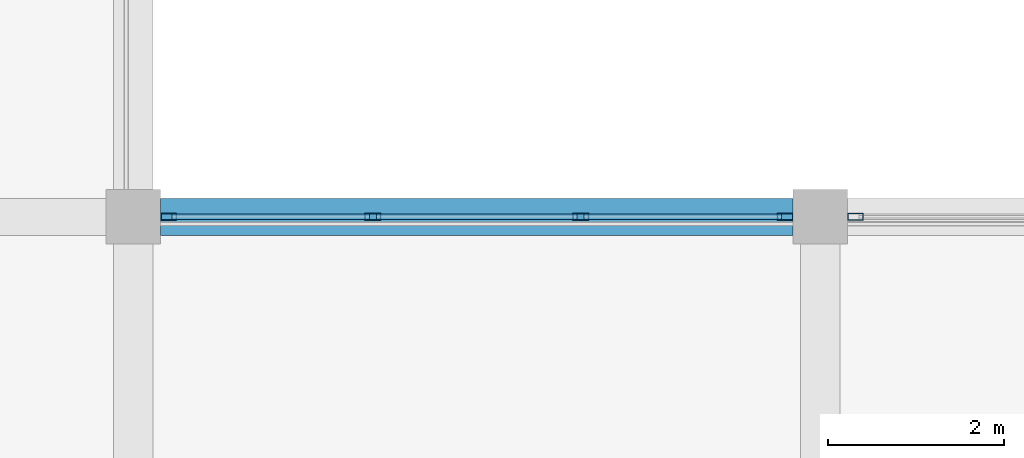
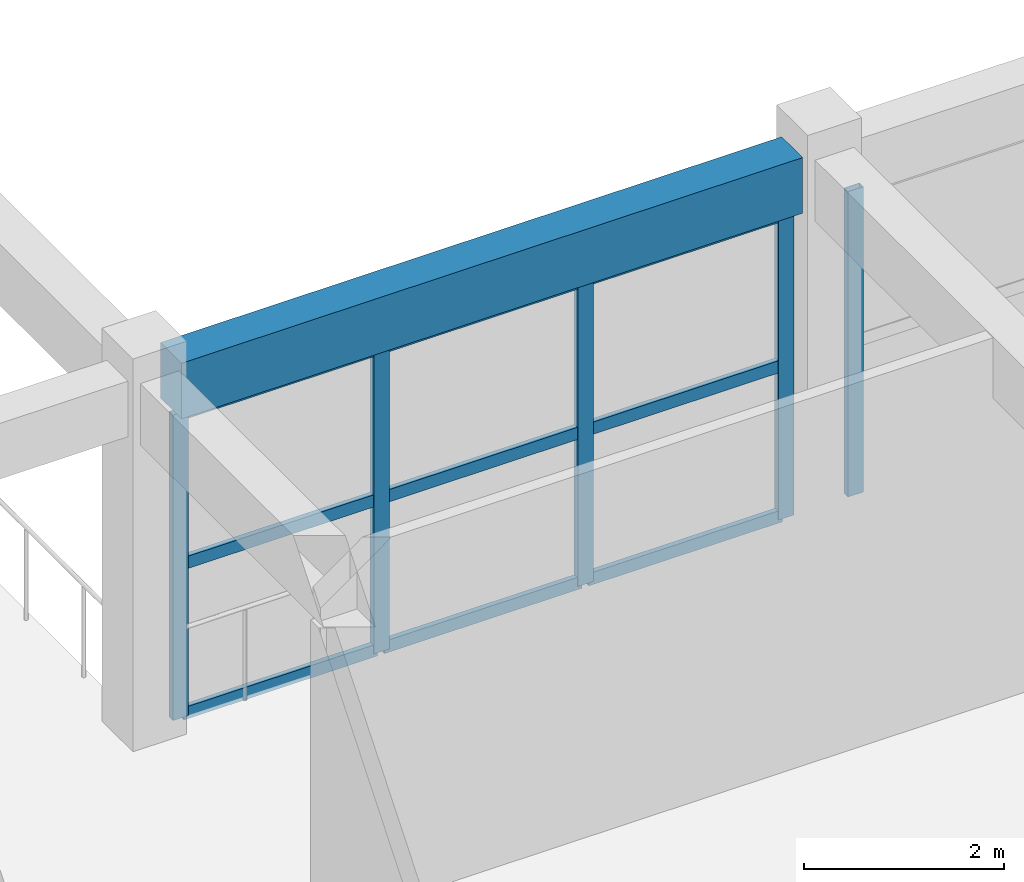
# One storey, part 95 of 167: 14 members, 1 beam, 2 elements without a shape of their own.
"""IFC4 building model written with IfcOpenShell, lengths in metres."""

from ifc_helpers import new_model, si_unit, direction, frame, origin, origin_2d, place, context, subcontext, project, spatial, rectangle, hollow_rectangle, extrude, material, layer, layer_set, material_profile, profile_set, type_object, element, aggregate, save


model = new_model("IFC4")

# Units and contexts
model_context = context("Model", 3, precision=1e-05, world=origin(), true_north=direction((0.0, 1.0)))
body_context = subcontext(model_context, "Body", "Model", "MODEL_VIEW")
ifc_project = project(units=[si_unit("LENGTHUNIT", "METRE"), si_unit("AREAUNIT", "SQUARE_METRE"), si_unit("VOLUMEUNIT", "CUBIC_METRE"), si_unit("PLANEANGLEUNIT", "RADIAN"), si_unit("MASSUNIT", "GRAM", prefix="KILO")], contexts=[model_context])

# Site, building, storey
site_placement = place(None, origin())
site = spatial("IfcSite", under=ifc_project, at=site_placement, CompositionType="ELEMENT")
building_placement = place(site_placement, origin())
building = spatial("IfcBuilding", under=site, at=building_placement, Name="Zizhar Promenade General Hospital", CompositionType="ELEMENT")
storey_placement = place(building_placement, frame((0.0, 0.0, 9.60009765625)))
storey = spatial("IfcBuildingStorey", under=building, at=storey_placement, Name="L02", CompositionType="ELEMENT", Elevation=9.60009765625)

# Beam
ifc_material_1 = material(Name="Concrete C35/45", Category="concrete")
ifc_material_profile_1 = material_profile(ifc_material_1, rectangle(XDim=0.419921875, YDim=0.679931640625, at=origin_2d()))
ifc_profile_set_1 = profile_set([ifc_material_profile_1], Name="Concrete C35/45")
beam_type = type_object("IfcBeamType", Name="BM-RC-420x680", PredefinedType="JOIST", material=ifc_profile_set_1)
beam_placement = place(storey_placement, frame((148.510009765625, 67.199951171875, 4.1298828125), z_axis=(1.0, 0.0, 0.0), x_axis=(0.0, 1.0, 0.0)))
element("IfcBeam", 1, at=beam_placement, inside=storey, type_object=beam_type, Name="Grid Beam X L02 (19-8)", PredefinedType="JOIST", context=body_context, shape_type="SweptSolid", body=[
    extrude(rectangle(XDim=0.419921875, YDim=0.679931640625, at=origin_2d()), origin(), (0.0, 0.0, 1.0), 7.179931640625),
])

# Curtain wall, members
ifc_material_2 = material(Name="Anodised aluminium 6063-T6 and low-E glass", Category="aluminium")
ifc_layer = layer(ifc_material_2, 0.159912109375)
ifc_layer_set = layer_set([ifc_layer], Name="Anodised aluminium 6063-T6 and low-E glass")
curtain_wall_type = type_object("IfcCurtainWallType", Name="CW-CLN-CRT", PredefinedType="NOTDEFINED", material=ifc_layer_set)
curtain_wall_1_placement = place(storey_placement, origin())
curtain_wall_1 = element("IfcCurtainWall", 2, at=curtain_wall_1_placement, inside=storey, type_object=curtain_wall_type, Name="East Light Court South Glazing L02-19", PredefinedType="NOTDEFINED")
ifc_material_3 = material(Name="Anodised aluminium 6063-T6", Category="aluminium")
ifc_material_profile_2 = material_profile(ifc_material_3, hollow_rectangle(XDim=0.080078125, YDim=0.179931640625, WallThickness=0.0048828125, at=origin_2d()))
ifc_profile_set_2 = profile_set([ifc_material_profile_2], Name="Anodised aluminium 6063-T6")
member_type_1 = type_object("IfcMemberType", Name="CWM-ALU-180x80", PredefinedType="MULLION", material=ifc_profile_set_2)
member_1_placement = place(storey_placement, frame((148.60009765625, 67.199951171875, 0.0), z_axis=(0.0, 0.0, 1.0), x_axis=(0.0, 1.0, 0.0)))
member_1 = element("IfcMember", 3, at=member_1_placement, type_object=member_type_1, Name="CW-10 mullion 1", PredefinedType="MULLION", context=body_context, shape_type="SweptSolid", body=[
    extrude(hollow_rectangle(XDim=0.080078125, YDim=0.179931640625, WallThickness=0.0048828125, at=origin_2d()), origin(), (0.0, 0.0, 1.0), 3.72998046875),
])
member_2_placement = place(storey_placement, frame((150.919921875, 67.199951171875, 0.0), z_axis=(0.0, 0.0, 1.0), x_axis=(0.0, 1.0, 0.0)))
member_2 = element("IfcMember", 4, at=member_2_placement, type_object=member_type_1, Name="CW-10 mullion 2", PredefinedType="MULLION", context=body_context, shape_type="SweptSolid", body=[
    extrude(hollow_rectangle(XDim=0.080078125, YDim=0.179931640625, WallThickness=0.0048828125, at=origin_2d()), origin(), (0.0, 0.0, 1.0), 3.72998046875),
])
member_3_placement = place(storey_placement, frame((153.280029296875, 67.199951171875, 0.0), z_axis=(0.0, 0.0, 1.0), x_axis=(0.0, 1.0, 0.0)))
member_3 = element("IfcMember", 5, at=member_3_placement, type_object=member_type_1, Name="CW-10 mullion 3", PredefinedType="MULLION", context=body_context, shape_type="SweptSolid", body=[
    extrude(hollow_rectangle(XDim=0.080078125, YDim=0.179931640625, WallThickness=0.0048828125, at=origin_2d()), origin(), (0.0, 0.0, 1.0), 3.72998046875),
])
member_4_placement = place(storey_placement, frame((155.60009765625, 67.199951171875, 0.0), z_axis=(0.0, 0.0, 1.0), x_axis=(0.0, 1.0, 0.0)))
member_4 = element("IfcMember", 6, at=member_4_placement, type_object=member_type_1, Name="CW-10 mullion 4", PredefinedType="MULLION", context=body_context, shape_type="SweptSolid", body=[
    extrude(hollow_rectangle(XDim=0.080078125, YDim=0.179931640625, WallThickness=0.0048828125, at=origin_2d()), origin(), (0.0, 0.0, 1.0), 3.72998046875),
])

# Curtain wall, member
curtain_wall_2_placement = place(storey_placement, origin())
curtain_wall_2 = element("IfcCurtainWall", 7, at=curtain_wall_2_placement, inside=storey, type_object=curtain_wall_type, Name="East Light Court South Glazing L02-20", PredefinedType="NOTDEFINED")
member_5_placement = place(storey_placement, frame((156.39990234375, 67.199951171875, 0.0), z_axis=(0.0, 0.0, 1.0), x_axis=(0.0, 1.0, 0.0)))
member_5 = element("IfcMember", 8, at=member_5_placement, type_object=member_type_1, Name="CW-10 mullion 1", PredefinedType="MULLION", context=body_context, shape_type="SweptSolid", body=[
    extrude(hollow_rectangle(XDim=0.080078125, YDim=0.179931640625, WallThickness=0.0048828125, at=origin_2d()), origin(), (0.0, 0.0, 1.0), 3.72998046875),
])
aggregate(curtain_wall_2, [member_5])

# Member
ifc_material_4 = material(Name="Anodised aluminium 6063-T6", Category="aluminium")
ifc_material_profile_3 = material_profile(ifc_material_4, hollow_rectangle(XDim=0.06005859375, YDim=0.14990234375, WallThickness=0.00390625, at=origin_2d()))
ifc_profile_set_3 = profile_set([ifc_material_profile_3], Name="Anodised aluminium 6063-T6")
member_type_2 = type_object("IfcMemberType", Name="CWT-ALU-150x60", PredefinedType="USERDEFINED", material=ifc_profile_set_3)
member_6_placement = place(storey_placement, frame((148.639892578125, 67.199951171875, 0.02978515625), z_axis=(1.0, 0.0, 0.0), x_axis=(0.0, 1.0, 0.0)))
member_6 = element("IfcMember", 9, at=member_6_placement, type_object=member_type_2, Name="CW-10 transom 1.1", ObjectType="TRANSOM", PredefinedType="USERDEFINED", context=body_context, shape_type="SweptSolid", body=[
    extrude(hollow_rectangle(XDim=0.06005859375, YDim=0.14990234375, WallThickness=0.00390625, at=origin_2d()), origin(), (0.0, 0.0, 1.0), 2.239990234375),
])

member_7_placement = place(storey_placement, frame((148.639892578125, 67.199951171875, 1.864990234375), z_axis=(1.0, 0.0, 0.0), x_axis=(0.0, 1.0, 0.0)))
member_7 = element("IfcMember", 10, at=member_7_placement, type_object=member_type_2, Name="CW-10 transom 1.2", ObjectType="TRANSOM", PredefinedType="USERDEFINED", context=body_context, shape_type="SweptSolid", body=[
    extrude(hollow_rectangle(XDim=0.06005859375, YDim=0.14990234375, WallThickness=0.00390625, at=origin_2d()), origin(), (0.0, 0.0, 1.0), 2.239990234375),
])

member_8_placement = place(storey_placement, frame((148.639892578125, 67.199951171875, 3.699951171875), z_axis=(1.0, 0.0, 0.0), x_axis=(0.0, 1.0, 0.0)))
member_8 = element("IfcMember", 11, at=member_8_placement, type_object=member_type_2, Name="CW-10 transom 1.3", ObjectType="TRANSOM", PredefinedType="USERDEFINED", context=body_context, shape_type="SweptSolid", body=[
    extrude(hollow_rectangle(XDim=0.06005859375, YDim=0.14990234375, WallThickness=0.00390625, at=origin_2d()), origin(), (0.0, 0.0, 1.0), 2.239990234375),
])

member_9_placement = place(storey_placement, frame((150.9599609375, 67.199951171875, 0.02978515625), z_axis=(1.0, 0.0, 0.0), x_axis=(0.0, 1.0, 0.0)))
member_9 = element("IfcMember", 12, at=member_9_placement, type_object=member_type_2, Name="CW-10 transom 2.1", ObjectType="TRANSOM", PredefinedType="USERDEFINED", context=body_context, shape_type="SweptSolid", body=[
    extrude(hollow_rectangle(XDim=0.06005859375, YDim=0.14990234375, WallThickness=0.00390625, at=origin_2d()), origin(), (0.0, 0.0, 1.0), 2.280029296875),
])

member_10_placement = place(storey_placement, frame((150.9599609375, 67.199951171875, 1.864990234375), z_axis=(1.0, 0.0, 0.0), x_axis=(0.0, 1.0, 0.0)))
member_10 = element("IfcMember", 13, at=member_10_placement, type_object=member_type_2, Name="CW-10 transom 2.2", ObjectType="TRANSOM", PredefinedType="USERDEFINED", context=body_context, shape_type="SweptSolid", body=[
    extrude(hollow_rectangle(XDim=0.06005859375, YDim=0.14990234375, WallThickness=0.00390625, at=origin_2d()), origin(), (0.0, 0.0, 1.0), 2.280029296875),
])

member_11_placement = place(storey_placement, frame((150.9599609375, 67.199951171875, 3.699951171875), z_axis=(1.0, 0.0, 0.0), x_axis=(0.0, 1.0, 0.0)))
member_11 = element("IfcMember", 14, at=member_11_placement, type_object=member_type_2, Name="CW-10 transom 2.3", ObjectType="TRANSOM", PredefinedType="USERDEFINED", context=body_context, shape_type="SweptSolid", body=[
    extrude(hollow_rectangle(XDim=0.06005859375, YDim=0.14990234375, WallThickness=0.00390625, at=origin_2d()), origin(), (0.0, 0.0, 1.0), 2.280029296875),
])

member_12_placement = place(storey_placement, frame((153.320068359375, 67.199951171875, 0.02978515625), z_axis=(1.0, 0.0, 0.0), x_axis=(0.0, 1.0, 0.0)))
member_12 = element("IfcMember", 15, at=member_12_placement, type_object=member_type_2, Name="CW-10 transom 3.1", ObjectType="TRANSOM", PredefinedType="USERDEFINED", context=body_context, shape_type="SweptSolid", body=[
    extrude(hollow_rectangle(XDim=0.06005859375, YDim=0.14990234375, WallThickness=0.00390625, at=origin_2d()), origin(), (0.0, 0.0, 1.0), 2.239990234375),
])

member_13_placement = place(storey_placement, frame((153.320068359375, 67.199951171875, 1.864990234375), z_axis=(1.0, 0.0, 0.0), x_axis=(0.0, 1.0, 0.0)))
member_13 = element("IfcMember", 16, at=member_13_placement, type_object=member_type_2, Name="CW-10 transom 3.2", ObjectType="TRANSOM", PredefinedType="USERDEFINED", context=body_context, shape_type="SweptSolid", body=[
    extrude(hollow_rectangle(XDim=0.06005859375, YDim=0.14990234375, WallThickness=0.00390625, at=origin_2d()), origin(), (0.0, 0.0, 1.0), 2.239990234375),
])

member_14_placement = place(storey_placement, frame((153.320068359375, 67.199951171875, 3.699951171875), z_axis=(1.0, 0.0, 0.0), x_axis=(0.0, 1.0, 0.0)))
member_14 = element("IfcMember", 17, at=member_14_placement, type_object=member_type_2, Name="CW-10 transom 3.3", ObjectType="TRANSOM", PredefinedType="USERDEFINED", context=body_context, shape_type="SweptSolid", body=[
    extrude(hollow_rectangle(XDim=0.06005859375, YDim=0.14990234375, WallThickness=0.00390625, at=origin_2d()), origin(), (0.0, 0.0, 1.0), 2.239990234375),
])

aggregate(curtain_wall_1, [member_1, member_2, member_3, member_4, member_6, member_7, member_8, member_9, member_10, member_11, member_12, member_13, member_14])

save(model, "model.ifc")
